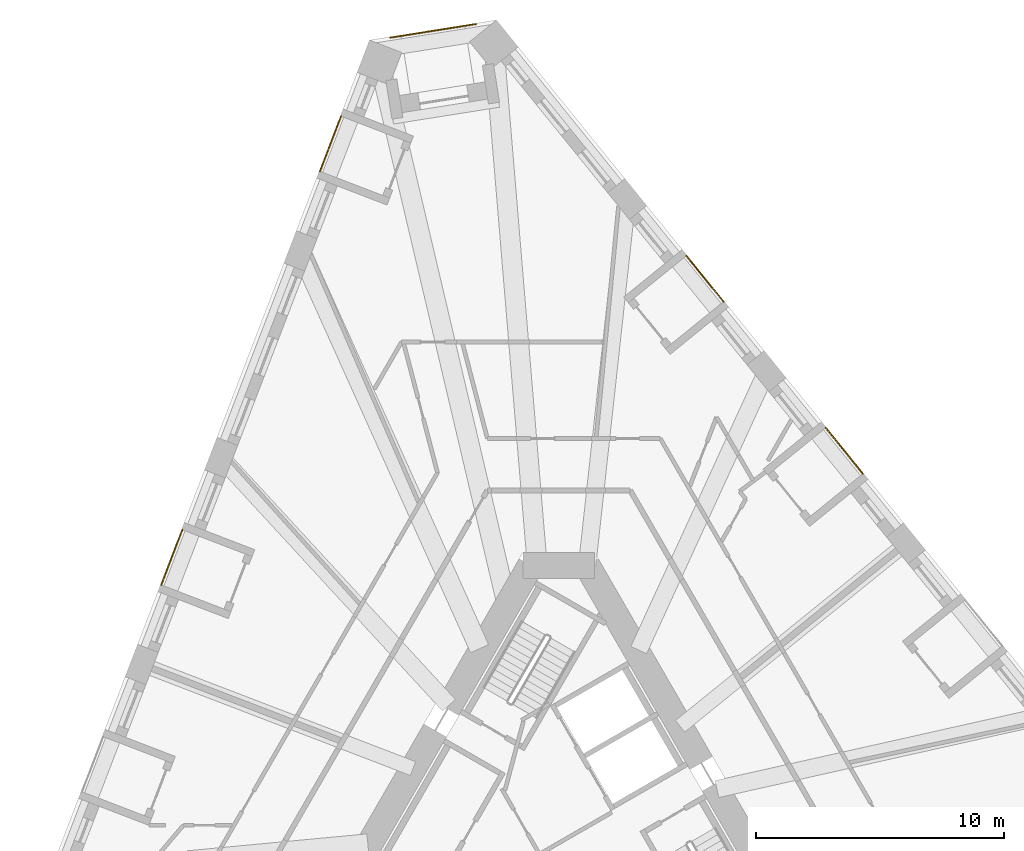
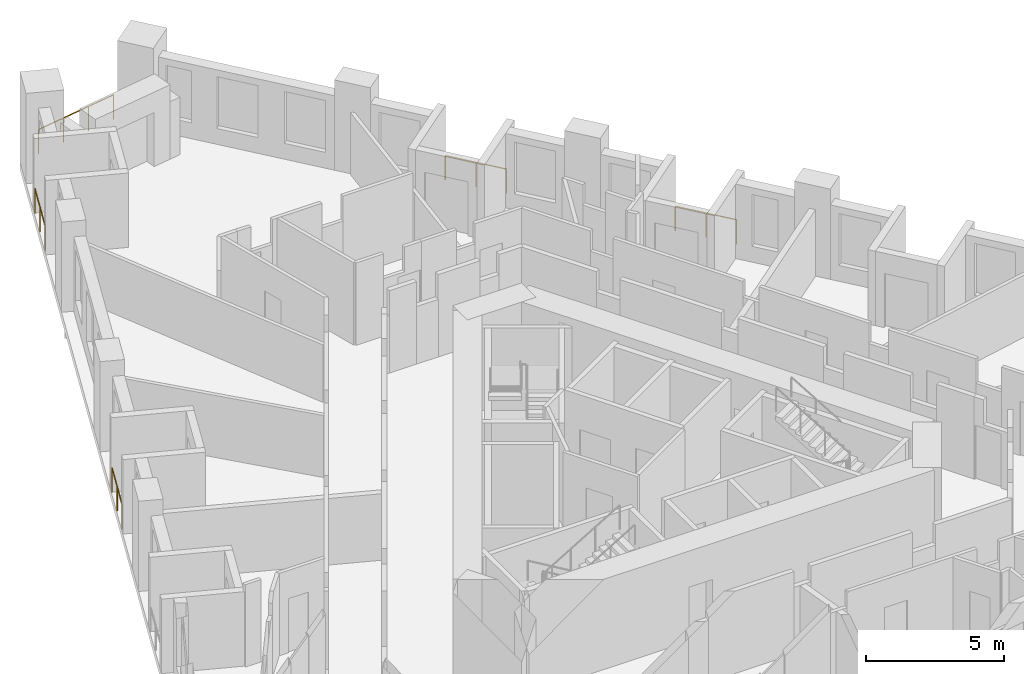
# One storey, part 14 of 14: 5 railings.
"""IFC4 building model written with IfcOpenShell, lengths in metres."""

from ifc_helpers import new_model, si_unit, direction, frame, origin, origin_2d, place, context, subcontext, project, spatial, circle, extrude, material, type_object, element, save


model = new_model("IFC4")

# Units and contexts
model_context = context("Model", 3, precision=1e-05, world=origin(), true_north=direction((0.0, 1.0)))
body_context = subcontext(model_context, "Body", "Model", "MODEL_VIEW")
ifc_project = project(units=[si_unit("LENGTHUNIT", "METRE"), si_unit("AREAUNIT", "SQUARE_METRE"), si_unit("VOLUMEUNIT", "CUBIC_METRE"), si_unit("PLANEANGLEUNIT", "RADIAN"), si_unit("MASSUNIT", "GRAM", prefix="KILO")], contexts=[model_context])

# Site, building, storey
site_placement = place(None, origin())
site = spatial("IfcSite", under=ifc_project, at=site_placement, CompositionType="ELEMENT")
building_placement = place(site_placement, origin())
building = spatial("IfcBuilding", under=site, at=building_placement, Name="Tramontana Tower", CompositionType="ELEMENT")
storey_placement = place(building_placement, frame((0.0, 0.0, 55.199951171875)))
storey = spatial("IfcBuildingStorey", under=building, at=storey_placement, Name="L11", CompositionType="ELEMENT", Elevation=55.199951171875)

# Railings
ifc_material = material(Name="Laminated glass balustrade", Category="glass")
railing_type = type_object("IfcRailingType", Name="GD1 Loggia glass balustrade 1100", PredefinedType="BALUSTRADE", material=ifc_material)
railing_1_placement = place(storey_placement, frame((-8.798828125, 28.61767578125, 0.0)))
element("IfcRailing", 1, at=railing_1_placement, inside=storey, type_object=railing_type, Name="Loggia balustrade L11 G1S0.1", PredefinedType="BALUSTRADE", context=body_context, shape_type="SweptSolid", body=[
    extrude(circle(Radius=0.02392578125, at=origin_2d()), frame((0.0, 0.0, 1.076171875), z_axis=(-0.35829926872, -0.933606787697, 0.0), x_axis=(0.933606787697, -0.35829926872, 0.0)), (0.0, 0.0, 1.0), 2.3828125),
    extrude(circle(Radius=0.02099609375, at=origin_2d()), origin(), (0.0, 0.0, 1.0), 1.052001953125),
    extrude(circle(Radius=0.02099609375, at=origin_2d()), frame((-0.4267578125, -1.1123046875, 0.0)), (0.0, 0.0, 1.0), 1.052001953125),
    extrude(circle(Radius=0.02099609375, at=origin_2d()), frame((-0.853759765625, -2.224609375, 0.0)), (0.0, 0.0, 1.0), 1.052001953125),
])
railing_2_placement = place(storey_placement, frame((-15.212646484375, 11.90869140625, 0.0)))
element("IfcRailing", 2, at=railing_2_placement, inside=storey, type_object=railing_type, Name="Loggia balustrade L11 G1S0.7", PredefinedType="BALUSTRADE", context=body_context, shape_type="SweptSolid", body=[
    extrude(circle(Radius=0.02392578125, at=origin_2d()), frame((0.0, 0.0, 1.076171875), z_axis=(-0.35838856932, -0.933572511046, 0.0), x_axis=(0.933572511046, -0.35838856932, 0.0)), (0.0, 0.0, 1.0), 2.3828125),
    extrude(circle(Radius=0.02099609375, at=origin_2d()), origin(), (0.0, 0.0, 1.0), 1.052001953125),
    extrude(circle(Radius=0.02099609375, at=origin_2d()), frame((-0.427001953125, -1.1123046875, 0.0)), (0.0, 0.0, 1.0), 1.052001953125),
    extrude(circle(Radius=0.02099609375, at=origin_2d()), frame((-0.85400390625, -2.224609375, 0.0)), (0.0, 0.0, 1.0), 1.052001953125),
])
railing_3_placement = place(storey_placement, frame((12.287841796875, 14.1748046875, 0.0)))
element("IfcRailing", 3, at=railing_3_placement, inside=storey, type_object=railing_type, Name="Loggia balustrade L11 G1S2.10", PredefinedType="BALUSTRADE", context=body_context, shape_type="SweptSolid", body=[
    extrude(circle(Radius=0.02392578125, at=origin_2d()), frame((0.0, 0.0, 1.076171875), z_axis=(-0.629319049918, 0.777147047482, 0.0), x_axis=(-0.777147047482, -0.629319049918, 0.0)), (0.0, 0.0, 1.0), 2.383056640625),
    extrude(circle(Radius=0.02099609375, at=origin_2d()), origin(), (0.0, 0.0, 1.0), 1.052001953125),
    extrude(circle(Radius=0.02099609375, at=origin_2d()), frame((-0.75, 0.926025390625, 0.0)), (0.0, 0.0, 1.0), 1.052001953125),
    extrude(circle(Radius=0.02099609375, at=origin_2d()), frame((-1.499755859375, 1.85205078125, 0.0)), (0.0, 0.0, 1.0), 1.052001953125),
])
railing_4_placement = place(storey_placement, frame((6.656005859375, 21.129638671875, 0.0)))
element("IfcRailing", 4, at=railing_4_placement, inside=storey, type_object=railing_type, Name="Loggia balustrade L11 G1S2.13", PredefinedType="BALUSTRADE", context=body_context, shape_type="SweptSolid", body=[
    extrude(circle(Radius=0.02392578125, at=origin_2d()), frame((0.0, 0.0, 1.076171875), z_axis=(-0.62930727886, 0.777156579316, 0.0), x_axis=(-0.777156579316, -0.62930727886, 0.0)), (0.0, 0.0, 1.0), 2.3828125),
    extrude(circle(Radius=0.02099609375, at=origin_2d()), origin(), (0.0, 0.0, 1.0), 1.052001953125),
    extrude(circle(Radius=0.02099609375, at=origin_2d()), frame((-0.749755859375, 0.92578125, 0.0)), (0.0, 0.0, 1.0), 1.052001953125),
    extrude(circle(Radius=0.02099609375, at=origin_2d()), frame((-1.49951171875, 1.851806640625, 0.0)), (0.0, 0.0, 1.0), 1.052001953125),
])
railing_5_placement = place(storey_placement, frame((-6.807861328125, 31.79638671875, 0.0)))
element("IfcRailing", 5, at=railing_5_placement, inside=storey, type_object=railing_type, Name="Corner loggia balustrade L11 K10", PredefinedType="BALUSTRADE", context=body_context, shape_type="SweptSolid", body=[
    extrude(circle(Radius=0.02392578125, at=origin_2d()), frame((0.0, 0.0, 1.076171875), z_axis=(0.987683654859, 0.156464046744, 0.0), x_axis=(-0.156464046744, 0.987683654859, 0.0)), (0.0, 0.0, 1.0), 3.5),
    extrude(circle(Radius=0.02099609375, at=origin_2d()), origin(), (0.0, 0.0, 1.0), 1.052001953125),
    extrude(circle(Radius=0.02099609375, at=origin_2d()), frame((1.15234375, 0.1826171875, 0.0)), (0.0, 0.0, 1.0), 1.052001953125),
    extrude(circle(Radius=0.02099609375, at=origin_2d()), frame((2.304443359375, 0.364990234375, 0.0)), (0.0, 0.0, 1.0), 1.052001953125),
    extrude(circle(Radius=0.02099609375, at=origin_2d()), frame((3.456787109375, 0.547607421875, 0.0)), (0.0, 0.0, 1.0), 1.052001953125),
])

save(model, "model.ifc")
